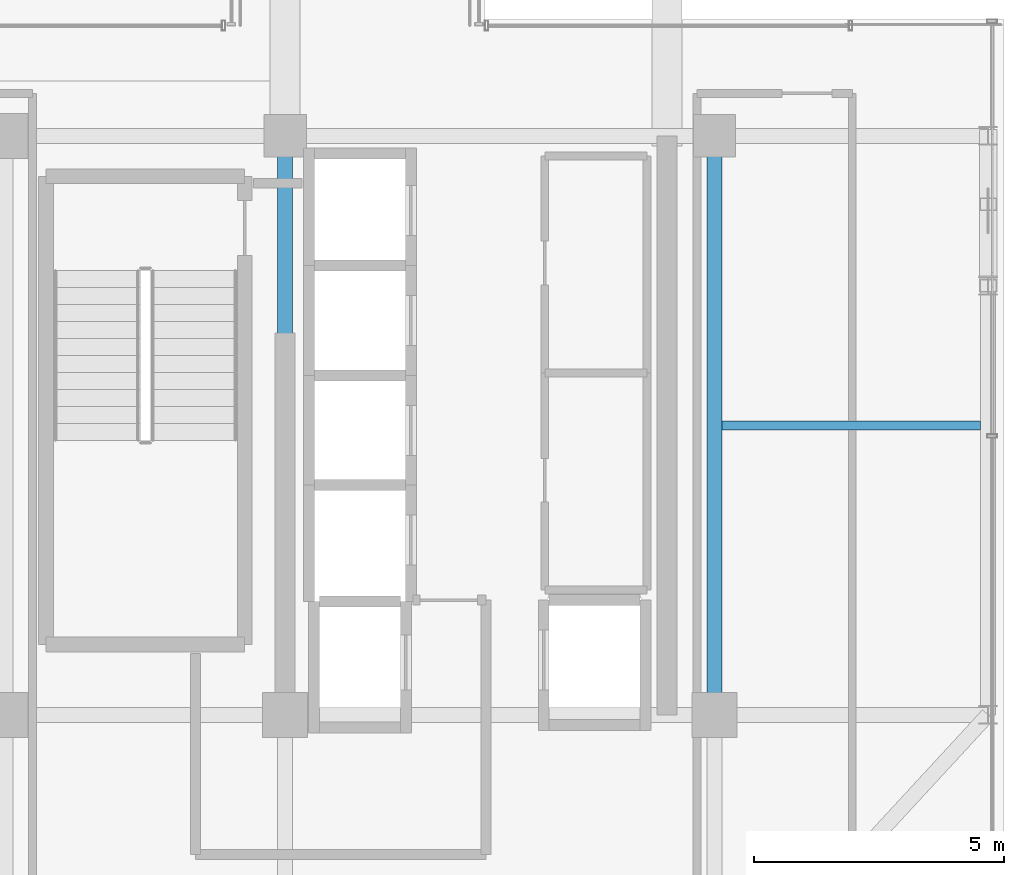
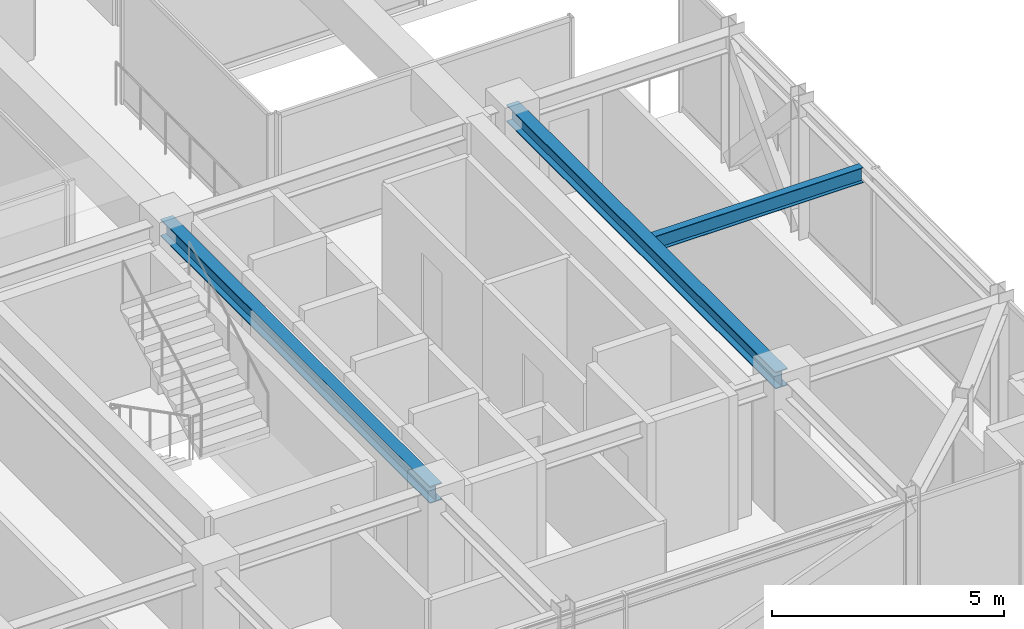
# One storey, part 17 of 40: 3 beams.
"""IFC4 building model written with IfcOpenShell, lengths in metres."""

from ifc_helpers import new_model, si_unit, direction, frame, origin, origin_2d, place, context, subcontext, project, spatial, i_section, extrude, source, transform, mapped, material, material_profile, profile_set, type_object, element, save


model = new_model("IFC4")

# Units and contexts
model_context = context("Model", 3, precision=1e-05, world=origin(), true_north=direction((0.0, 1.0)))
body_context = subcontext(model_context, "Body", "Model", "MODEL_VIEW")
ifc_project = project(units=[si_unit("LENGTHUNIT", "METRE"), si_unit("AREAUNIT", "SQUARE_METRE"), si_unit("VOLUMEUNIT", "CUBIC_METRE"), si_unit("PLANEANGLEUNIT", "RADIAN"), si_unit("MASSUNIT", "GRAM", prefix="KILO")], contexts=[model_context])

# Site, building, storey
site_placement = place(None, origin())
site = spatial("IfcSite", under=ifc_project, at=site_placement, CompositionType="ELEMENT")
building_placement = place(site_placement, origin())
building = spatial("IfcBuilding", under=site, at=building_placement, Name="Nahalor Promenade Grand Hotel", CompositionType="ELEMENT")
storey_placement = place(building_placement, frame((0.0, 0.0, 288.800048828125)))
storey = spatial("IfcBuildingStorey", under=building, at=storey_placement, Name="L74", CompositionType="ELEMENT", Elevation=288.800048828125)

# Beams
ifc_material = material(Name="Steel S355JR", Category="steel")
ifc_material_profile_1 = material_profile(ifc_material, i_section(OverallWidth=0.3, OverallDepth=0.45, WebThickness=0.014, FlangeThickness=0.026, at=origin_2d()), Name="HEB 450")
ifc_profile_set_1 = profile_set([ifc_material_profile_1], Name="Steel S355JR")
beam_type_1 = type_object("IfcBeamType", Name="Beam-Girder-HEB450", PredefinedType="BEAM", material=ifc_profile_set_1)
shared_shape_1 = source(origin(), body_context, "Body", "SweptSolid", [
    extrude(i_section(OverallWidth=0.3, OverallDepth=0.45, WebThickness=0.014, FlangeThickness=0.026, at=origin_2d()), origin(), (0.0, 0.0, 1.0), 11.60009765625),
])
for number, where, z_axis, x_axis, name in (
    (1, (8.39990234375, -17.0, 3.324951171875), (0.0, 1.0, 0.0), (-1.0, 0.0, 0.0), "BM-L74-GY-4-1"),
    (2, (17.0, -17.0, 3.324951171875), (0.0, 1.0, 0.0), (-1.0, 0.0, 0.0), "BM-L74-GY-5-1"),
):
    element("IfcBeam", number, at=place(storey_placement, frame(where, z_axis=z_axis, x_axis=x_axis)), inside=storey, type_object=beam_type_1, Name=name, PredefinedType="BEAM", context=body_context, shape_type="MappedRepresentation", body=[
        mapped(shared_shape_1, transform((0.0, 0.0, 0.0), scale=1.0)),
    ])
ifc_material_profile_2 = material_profile(ifc_material, i_section(OverallWidth=0.18, OverallDepth=0.4, WebThickness=0.0086, FlangeThickness=0.0135, at=origin_2d()), Name="IPE 400")
ifc_profile_set_2 = profile_set([ifc_material_profile_2], Name="Steel S355JR")
beam_type_2 = type_object("IfcBeamType", Name="Beam-Joist-IPE400", PredefinedType="JOIST", material=ifc_profile_set_2)
shared_shape_2 = source(origin(), body_context, "Body", "SweptSolid", [
    extrude(i_section(OverallWidth=0.18, OverallDepth=0.4, WebThickness=0.0086, FlangeThickness=0.0135, at=origin_2d()), origin(), (0.0, 0.0, 1.0), 5.18017578125),
])
beam_placement = place(storey_placement, frame((17.14990234375, -11.199951171875, 3.349853515625), z_axis=(1.0, 0.0, 0.0), x_axis=(0.0, 1.0, 0.0)))
element("IfcBeam", 3, at=beam_placement, inside=storey, type_object=beam_type_2, Name="BM-L74-JSE-0-2", PredefinedType="JOIST", context=body_context, shape_type="MappedRepresentation", body=[
    mapped(shared_shape_2, transform((0.0, 0.0, 0.0), scale=1.0)),
])

save(model, "model.ifc")
